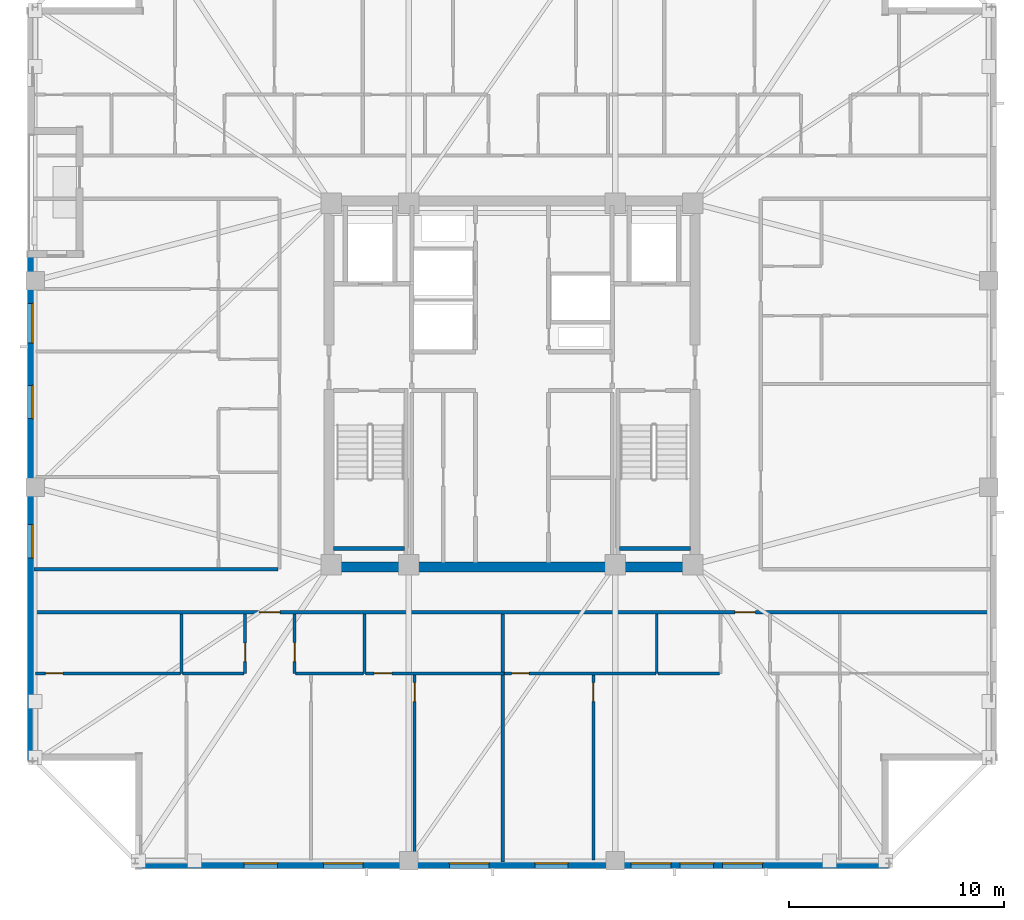
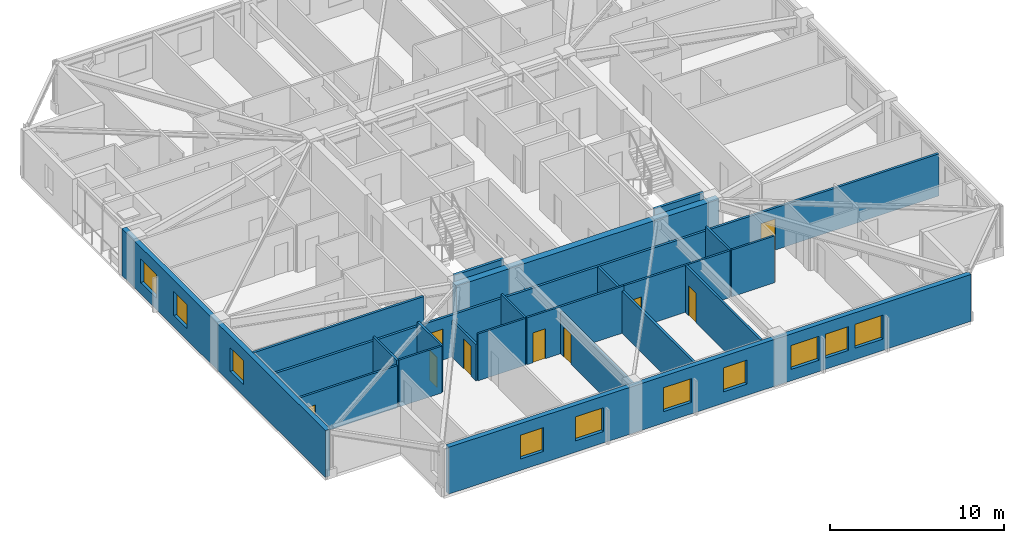
# One storey, part 7 of 17: 21 walls, 10 windows, 9 doors, 19 openings.
"""IFC4 building model written with IfcOpenShell, lengths in metres."""

from ifc_helpers import new_model, si_unit, direction, frame, frame_2d, origin, place, context, subcontext, project, spatial, rectangle, extrude, material, layer, layer_set, type_object, element, fill, save


model = new_model("IFC4")

# Units and contexts
model_context = context("Model", 3, precision=1e-05, world=origin(), true_north=direction((0.0, 1.0)))
body_context = subcontext(model_context, "Body", "Model", "MODEL_VIEW")
ifc_project = project(units=[si_unit("LENGTHUNIT", "METRE"), si_unit("AREAUNIT", "SQUARE_METRE"), si_unit("VOLUMEUNIT", "CUBIC_METRE"), si_unit("PLANEANGLEUNIT", "RADIAN"), si_unit("MASSUNIT", "GRAM", prefix="KILO")], contexts=[model_context])

# Site, building, storey
site_placement = place(None, origin())
site = spatial("IfcSite", under=ifc_project, at=site_placement, CompositionType="ELEMENT")
building_placement = place(site_placement, origin())
building = spatial("IfcBuilding", under=site, at=building_placement, Name="Cairnveth Concourse Tower", CompositionType="ELEMENT")
storey_placement = place(building_placement, frame((0.0, 0.0, 230.5)))
storey = spatial("IfcBuildingStorey", under=building, at=storey_placement, Name="L63", CompositionType="ELEMENT", Elevation=230.5)

# Wall, openings, doors
ifc_material_1 = material(Name="Gypsum Plasterboard Partition", Category="gypsum")
ifc_layer_1 = layer(ifc_material_1, 0.159912109375)
ifc_layer_set_1 = layer_set([ifc_layer_1], Name="Gypsum Plasterboard Partition")
wall_type_1 = type_object("IfcWallType", Name="ACOUSTIC PARTY WALL 180", PredefinedType="PARTITIONING", material=ifc_layer_set_1)
wall_1_placement = place(storey_placement, frame((29.804931640625, 28.387451171875, 0.0), z_axis=(0.0, 0.0, 1.0), x_axis=(1.0, 0.0, 0.0)))
wall_1 = element("IfcWall", 1, at=wall_1_placement, inside=storey, type_object=wall_type_1, Name="Interior Wall IW-L63-035", PredefinedType="PARTITIONING", context=body_context, shape_type="SweptSolid", body=[
    extrude(rectangle(XDim=44.39013671875, YDim=0.159912109375, at=frame_2d((22.195068359375, 0.0))), origin(), (0.0, 0.0, 1.0), 2.9580078125),
])
opening_1_placement = place(wall_1_placement, frame((10.463623046875, 0.0, 0.0)))
opening_1 = element("IfcOpeningElement", 2, at=opening_1_placement, cuts=wall_1, Name="Opening ID10", PredefinedType="OPENING", context=body_context, shape_type="SweptSolid", body=[
    extrude(rectangle(XDim=0.9599609375, YDim=2.179931640625, at=frame_2d((0.47998046875, 1.08984375))), frame((0.0, 0.08984375, 0.0), z_axis=(0.0, -1.0, 0.0), x_axis=(1.0, 0.0, 0.0)), (0.0, 0.0, 1.0), 0.179931640625),
])
opening_2_placement = place(wall_1_placement, frame((32.543701171875, 0.0, 0.0)))
opening_2 = element("IfcOpeningElement", 3, at=opening_2_placement, cuts=wall_1, Name="Opening ID10", PredefinedType="OPENING", context=body_context, shape_type="SweptSolid", body=[
    extrude(rectangle(XDim=0.9599609375, YDim=2.179931640625, at=frame_2d((0.47998046875, 1.08984375))), frame((0.0, 0.08984375, 0.0), z_axis=(0.0, -1.0, 0.0), x_axis=(1.0, 0.0, 0.0)), (0.0, 0.0, 1.0), 0.179931640625),
])
ifc_material_2 = material(Name="Solid Core Hardwood Timber Leaf", Category="wood")
door_type_1 = type_object("IfcDoorType", Name="FLAT ENTRANCE DOOR 960X2150", OperationType="NOTDEFINED", PredefinedType="DOOR", material=ifc_material_2)
door_1_placement = place(opening_1_placement, origin())
door_1 = element("IfcDoor", 4, at=door_1_placement, inside=storey, type_object=door_type_1, Name="Apartment L63S1 Entrance Door", OperationType="SINGLE_SWING_LEFT", OverallHeight=2.179931640625, OverallWidth=0.9599609375, PredefinedType="DOOR", context=body_context, shape_type="SweptSolid", body=[
    extrude(rectangle(XDim=0.9599609375, YDim=2.179931640625, at=frame_2d((0.47998046875, 1.08984375))), frame((0.0, 0.02490234375, 0.0), z_axis=(0.0, -1.0, 0.0), x_axis=(1.0, 0.0, 0.0)), (0.0, 0.0, 1.0), 0.050048828125),
])
fill(opening_1, door_1)
door_2_placement = place(opening_2_placement, origin())
door_2 = element("IfcDoor", 5, at=door_2_placement, inside=storey, type_object=door_type_1, Name="Apartment L63S2 Entrance Door", OperationType="SINGLE_SWING_LEFT", OverallHeight=2.179931640625, OverallWidth=0.9599609375, PredefinedType="DOOR", context=body_context, shape_type="SweptSolid", body=[
    extrude(rectangle(XDim=0.9599609375, YDim=2.179931640625, at=frame_2d((0.47998046875, 1.08984375))), frame((0.0, 0.02490234375, 0.0), z_axis=(0.0, -1.0, 0.0), x_axis=(1.0, 0.0, 0.0)), (0.0, 0.0, 1.0), 0.050048828125),
])
fill(opening_2, door_2)

# Walls
wall_2_placement = place(storey_placement, frame((29.804931640625, 30.39990234375, 0.0), z_axis=(0.0, 0.0, 1.0), x_axis=(1.0, 0.0, 0.0)))
element("IfcWall", 6, at=wall_2_placement, inside=storey, type_object=wall_type_1, Name="Interior Wall IW-L63-039", PredefinedType="PARTITIONING", context=body_context, shape_type="SweptSolid", body=[
    extrude(rectangle(XDim=11.330078125, YDim=0.159912109375, at=frame_2d((5.6650390625, 0.0))), origin(), (0.0, 0.0, 1.0), 3.2900390625),
])
wall_3_placement = place(storey_placement, frame((51.577392578125, 16.804931640625, 0.0), z_axis=(0.0, 0.0, 1.0), x_axis=(0.0, 1.0, 0.0)))
element("IfcWall", 7, at=wall_3_placement, inside=storey, type_object=wall_type_1, Name="Interior Wall IW-L63-054", PredefinedType="PARTITIONING", context=body_context, shape_type="SweptSolid", body=[
    extrude(rectangle(XDim=11.517578125, YDim=0.159912109375, at=frame_2d((5.7587890625, 0.0))), origin(), (0.0, 0.0, 1.0), 2.9580078125),
])
ifc_material_3 = material(Name="Concrete N65 (65 MPa)", Category="concrete")
ifc_layer_2 = layer(ifc_material_3, 0.449951171875)
ifc_layer_set_2 = layer_set([ifc_layer_2], Name="Concrete N65 (65 MPa)")
wall_type_2 = type_object("IfcWallType", Name="CORE SHEAR WALL 450", PredefinedType="SHEAR", material=ifc_layer_set_2)
wall_4_placement = place(storey_placement, frame((43.27490234375, 30.5, 0.0), z_axis=(0.0, 0.0, 1.0), x_axis=(1.0, 0.0, 0.0)))
element("IfcWall", 8, at=wall_4_placement, inside=storey, type_object=wall_type_2, Name="Core South Shear Wall L63", PredefinedType="SHEAR", context=body_context, shape_type="SweptSolid", body=[
    extrude(rectangle(XDim=17.4501953125, YDim=0.449951171875, at=frame_2d((8.72509765625, 0.0))), origin(), (0.0, 0.0, 1.0), 3.2900390625),
])
ifc_material_4 = material(Name="Concrete N50 (50 MPa)", Category="concrete")
ifc_layer_3 = layer(ifc_material_4, 0.179931640625)
ifc_layer_set_3 = layer_set([ifc_layer_3], Name="Concrete N50 (50 MPa)")
wall_type_3 = type_object("IfcWallType", Name="FIRE SHAFT WALL 180", PredefinedType="SOLIDWALL", material=ifc_layer_set_3)
for number, where, z_axis, x_axis, name in (
    (9, (43.715087890625, 31.360107421875, 0.0), (0.0, 0.0, 1.0), (1.0, 0.0, 0.0), "Stair ST-1 Shaft Wall FAR L63"),
    (10, (57.0048828125, 31.360107421875, 0.0), (0.0, 0.0, 1.0), (1.0, 0.0, 0.0), "Stair ST-2 Shaft Wall FAR L63"),
):
    element("IfcWall", number, at=place(storey_placement, frame(where, z_axis=z_axis, x_axis=x_axis)), inside=storey, type_object=wall_type_3, Name=name, PredefinedType="SOLIDWALL", context=body_context, shape_type="SweptSolid", body=[
        extrude(rectangle(XDim=3.280029296875, YDim=0.179931640625, at=frame_2d((1.64013671875, 0.0))), origin(), (0.0, 0.0, 1.0), 3.2900390625),
    ])

# Wall, opening, door
ifc_layer_4 = layer(ifc_material_1, 0.139892578125)
ifc_layer_set_4 = layer_set([ifc_layer_4], Name="Gypsum Plasterboard Partition")
wall_type_4 = type_object("IfcWallType", Name="GYPSUM STUD PARTITION 140", PredefinedType="PARTITIONING", material=ifc_layer_set_4)
wall_5_placement = place(storey_placement, frame((29.8701171875, 25.5576171875, 0.0), z_axis=(0.0, 0.0, 1.0), x_axis=(1.0, 0.0, 0.0)))
wall_5 = element("IfcWall", 11, at=wall_5_placement, inside=storey, type_object=wall_type_4, Name="Interior Wall IW-L63-050", PredefinedType="PARTITIONING", context=body_context, shape_type="SweptSolid", body=[
    extrude(rectangle(XDim=6.728759765625, YDim=0.139892578125, at=frame_2d((3.3642578125, 0.0))), origin(), (0.0, 0.0, 1.0), 2.9580078125),
])
opening_3_placement = place(wall_5_placement, frame((0.449951171875, 0.0, 0.0)))
opening_3 = element("IfcOpeningElement", 12, at=opening_3_placement, cuts=wall_5, Name="Opening ID22", PredefinedType="OPENING", context=body_context, shape_type="SweptSolid", body=[
    extrude(rectangle(XDim=0.820068359375, YDim=2.10009765625, at=frame_2d((0.41015625, 1.050048828125))), frame((0.0, 0.079833984375, 0.0), z_axis=(0.0, -1.0, 0.0), x_axis=(1.0, 0.0, 0.0)), (0.0, 0.0, 1.0), 0.159912109375),
])
door_type_2 = type_object("IfcDoorType", Name="INTERIOR WC DOOR 820X2100", OperationType="NOTDEFINED", PredefinedType="DOOR", material=ifc_material_2)
door_3_placement = place(opening_3_placement, origin())
door_3 = element("IfcDoor", 13, at=door_3_placement, inside=storey, type_object=door_type_2, Name="L63S1 Dressing Door", OperationType="SINGLE_SWING_RIGHT", OverallHeight=2.10009765625, OverallWidth=0.820068359375, PredefinedType="DOOR", context=body_context, shape_type="SweptSolid", body=[
    extrude(rectangle(XDim=0.820068359375, YDim=2.10009765625, at=frame_2d((0.41015625, 1.050048828125))), frame((0.0, 0.02490234375, 0.0), z_axis=(0.0, -1.0, 0.0), x_axis=(1.0, 0.0, 0.0)), (0.0, 0.0, 1.0), 0.050048828125),
])
fill(opening_3, door_3)

wall_6_placement = place(storey_placement, frame((47.4775390625, 16.8798828125, 0.0), z_axis=(0.0, 0.0, 1.0), x_axis=(0.0, 1.0, 0.0)))
wall_6 = element("IfcWall", 14, at=wall_6_placement, inside=storey, type_object=wall_type_4, Name="Interior Wall IW-L63-051", PredefinedType="PARTITIONING", context=body_context, shape_type="SweptSolid", body=[
    extrude(rectangle(XDim=8.717529296875, YDim=0.139892578125, at=frame_2d((4.35888671875, 0.0))), origin(), (0.0, 0.0, 1.0), 2.9580078125),
])
opening_4_placement = place(wall_6_placement, frame((7.367431640625, 0.0, 0.0)))
opening_4 = element("IfcOpeningElement", 15, at=opening_4_placement, cuts=wall_6, Name="Opening ID18", PredefinedType="OPENING", context=body_context, shape_type="SweptSolid", body=[
    extrude(rectangle(XDim=0.8798828125, YDim=2.10009765625, at=frame_2d((0.43994140625, 1.050048828125))), frame((0.0, 0.079833984375, 0.0), z_axis=(0.0, -1.0, 0.0), x_axis=(1.0, 0.0, 0.0)), (0.0, 0.0, 1.0), 0.159912109375),
])
door_type_3 = type_object("IfcDoorType", Name="INTERIOR SINGLE DOOR 880X2100", OperationType="NOTDEFINED", PredefinedType="DOOR", material=ifc_material_2)
door_4_placement = place(opening_4_placement, origin())
door_4 = element("IfcDoor", 16, at=door_4_placement, inside=storey, type_object=door_type_3, Name="L63S1 Bedroom 2 Door", OperationType="SINGLE_SWING_LEFT", OverallHeight=2.10009765625, OverallWidth=0.8798828125, PredefinedType="DOOR", context=body_context, shape_type="SweptSolid", body=[
    extrude(rectangle(XDim=0.8798828125, YDim=2.10009765625, at=frame_2d((0.43994140625, 1.050048828125))), frame((0.0, 0.02490234375, 0.0), z_axis=(0.0, -1.0, 0.0), x_axis=(1.0, 0.0, 0.0)), (0.0, 0.0, 1.0), 0.050048828125),
])
fill(opening_4, door_4)

wall_7_placement = place(storey_placement, frame((45.19873046875, 25.5576171875, 0.0), z_axis=(0.0, 0.0, 1.0), x_axis=(1.0, 0.0, 0.0)))
wall_7 = element("IfcWall", 17, at=wall_7_placement, inside=storey, type_object=wall_type_4, Name="Interior Wall IW-L63-052", PredefinedType="PARTITIONING", context=body_context, shape_type="SweptSolid", body=[
    extrude(rectangle(XDim=6.4287109375, YDim=0.139892578125, at=frame_2d((3.21435546875, 0.0))), origin(), (0.0, 0.0, 1.0), 3.2900390625),
])
opening_5_placement = place(wall_7_placement, frame((0.39990234375, 0.0, 0.0)))
opening_5 = element("IfcOpeningElement", 18, at=opening_5_placement, cuts=wall_7, Name="Opening ID22", PredefinedType="OPENING", context=body_context, shape_type="SweptSolid", body=[
    extrude(rectangle(XDim=0.820068359375, YDim=2.10009765625, at=frame_2d((0.41015625, 1.050048828125))), frame((0.0, 0.079833984375, 0.0), z_axis=(0.0, -1.0, 0.0), x_axis=(1.0, 0.0, 0.0)), (0.0, 0.0, 1.0), 0.159912109375),
])
door_5_placement = place(opening_5_placement, origin())
door_5 = element("IfcDoor", 19, at=door_5_placement, inside=storey, type_object=door_type_2, Name="L63S1 Utility Door", OperationType="SINGLE_SWING_RIGHT", OverallHeight=2.10009765625, OverallWidth=0.820068359375, PredefinedType="DOOR", context=body_context, shape_type="SweptSolid", body=[
    extrude(rectangle(XDim=0.820068359375, YDim=2.10009765625, at=frame_2d((0.41015625, 1.050048828125))), frame((0.0, 0.02490234375, 0.0), z_axis=(0.0, -1.0, 0.0), x_axis=(1.0, 0.0, 0.0)), (0.0, 0.0, 1.0), 0.050048828125),
])
fill(opening_5, door_5)

wall_8_placement = place(storey_placement, frame((55.777587890625, 16.8798828125, 0.0), z_axis=(0.0, 0.0, 1.0), x_axis=(0.0, 1.0, 0.0)))
wall_8 = element("IfcWall", 20, at=wall_8_placement, inside=storey, type_object=wall_type_4, Name="Interior Wall IW-L63-061", PredefinedType="PARTITIONING", context=body_context, shape_type="SweptSolid", body=[
    extrude(rectangle(XDim=8.717529296875, YDim=0.139892578125, at=frame_2d((4.35888671875, 0.0))), origin(), (0.0, 0.0, 1.0), 3.2900390625),
])
opening_6_placement = place(wall_8_placement, frame((7.367431640625, 0.0, 0.0)))
opening_6 = element("IfcOpeningElement", 21, at=opening_6_placement, cuts=wall_8, Name="Opening ID18", PredefinedType="OPENING", context=body_context, shape_type="SweptSolid", body=[
    extrude(rectangle(XDim=0.8798828125, YDim=2.10009765625, at=frame_2d((0.43994140625, 1.050048828125))), frame((0.0, 0.079833984375, 0.0), z_axis=(0.0, -1.0, 0.0), x_axis=(1.0, 0.0, 0.0)), (0.0, 0.0, 1.0), 0.159912109375),
])
door_6_placement = place(opening_6_placement, origin())
door_6 = element("IfcDoor", 22, at=door_6_placement, inside=storey, type_object=door_type_3, Name="L63S2 Master Bedroom Door", OperationType="SINGLE_SWING_LEFT", OverallHeight=2.10009765625, OverallWidth=0.8798828125, PredefinedType="DOOR", context=body_context, shape_type="SweptSolid", body=[
    extrude(rectangle(XDim=0.8798828125, YDim=2.10009765625, at=frame_2d((0.43994140625, 1.050048828125))), frame((0.0, 0.02490234375, 0.0), z_axis=(0.0, -1.0, 0.0), x_axis=(1.0, 0.0, 0.0)), (0.0, 0.0, 1.0), 0.050048828125),
])
fill(opening_6, door_6)

wall_9_placement = place(storey_placement, frame((51.642578125, 25.5576171875, 0.0), z_axis=(0.0, 0.0, 1.0), x_axis=(1.0, 0.0, 0.0)))
wall_9 = element("IfcWall", 23, at=wall_9_placement, inside=storey, type_object=wall_type_4, Name="Interior Wall IW-L63-062", PredefinedType="PARTITIONING", context=body_context, shape_type="SweptSolid", body=[
    extrude(rectangle(XDim=7.0361328125, YDim=0.139892578125, at=frame_2d((3.51806640625, 0.0))), origin(), (0.0, 0.0, 1.0), 3.2900390625),
])
opening_7_placement = place(wall_9_placement, frame((0.3349609375, 0.0, 0.0)))
opening_7 = element("IfcOpeningElement", 24, at=opening_7_placement, cuts=wall_9, Name="Opening ID22", PredefinedType="OPENING", context=body_context, shape_type="SweptSolid", body=[
    extrude(rectangle(XDim=0.820068359375, YDim=2.10009765625, at=frame_2d((0.41015625, 1.050048828125))), frame((0.0, 0.079833984375, 0.0), z_axis=(0.0, -1.0, 0.0), x_axis=(1.0, 0.0, 0.0)), (0.0, 0.0, 1.0), 0.159912109375),
])
door_7_placement = place(opening_7_placement, origin())
door_7 = element("IfcDoor", 25, at=door_7_placement, inside=storey, type_object=door_type_2, Name="L63S2 Dressing Door", OperationType="SINGLE_SWING_RIGHT", OverallHeight=2.10009765625, OverallWidth=0.820068359375, PredefinedType="DOOR", context=body_context, shape_type="SweptSolid", body=[
    extrude(rectangle(XDim=0.820068359375, YDim=2.10009765625, at=frame_2d((0.41015625, 1.050048828125))), frame((0.0, 0.02490234375, 0.0), z_axis=(0.0, -1.0, 0.0), x_axis=(1.0, 0.0, 0.0)), (0.0, 0.0, 1.0), 0.050048828125),
])
fill(opening_7, door_7)

# Wall
ifc_layer_5 = layer(ifc_material_1, 0.1298828125)
ifc_layer_set_5 = layer_set([ifc_layer_5], Name="Gypsum Plasterboard Partition")
wall_type_5 = type_object("IfcWallType", Name="WET AREA PARTITION 140", PredefinedType="PLUMBINGWALL", material=ifc_layer_set_5)
wall_10_placement = place(storey_placement, frame((36.648681640625, 25.5576171875, 0.0), z_axis=(0.0, 0.0, 1.0), x_axis=(0.0, 1.0, 0.0)))
element("IfcWall", 26, at=wall_10_placement, inside=storey, type_object=wall_type_5, Name="Interior Wall IW-L63-043", PredefinedType="PLUMBINGWALL", context=body_context, shape_type="SweptSolid", body=[
    extrude(rectangle(XDim=2.75, YDim=0.1298828125, at=frame_2d((1.375, 0.0))), origin(), (0.0, 0.0, 1.0), 3.2900390625),
])

# Wall, opening, door
wall_11_placement = place(storey_placement, frame((39.598876953125, 25.5576171875, 0.0), z_axis=(0.0, 0.0, 1.0), x_axis=(0.0, 1.0, 0.0)))
wall_11 = element("IfcWall", 27, at=wall_11_placement, inside=storey, type_object=wall_type_5, Name="Interior Wall IW-L63-044", PredefinedType="PLUMBINGWALL", context=body_context, shape_type="SweptSolid", body=[
    extrude(rectangle(XDim=2.75, YDim=0.1298828125, at=frame_2d((1.375, 0.0))), origin(), (0.0, 0.0, 1.0), 3.2900390625),
])
opening_8_placement = place(wall_11_placement, frame((0.550048828125, 0.0, 0.0)))
opening_8 = element("IfcOpeningElement", 28, at=opening_8_placement, cuts=wall_11, Name="Opening ID21", PredefinedType="OPENING", context=body_context, shape_type="SweptSolid", body=[
    extrude(rectangle(XDim=0.85009765625, YDim=2.080078125, at=frame_2d((0.425048828125, 1.0400390625))), frame((0.0, 0.074951171875, 0.0), z_axis=(0.0, -1.0, 0.0), x_axis=(1.0, 0.0, 0.0)), (0.0, 0.0, 1.0), 0.14990234375),
])
door_type_4 = type_object("IfcDoorType", Name="INTERIOR WC DOOR 850X2100", OperationType="NOTDEFINED", PredefinedType="DOOR", material=ifc_material_2)
door_8_placement = place(opening_8_placement, origin())
door_8 = element("IfcDoor", 29, at=door_8_placement, inside=storey, type_object=door_type_4, Name="L63S1 Bathroom Door", OperationType="SINGLE_SWING_RIGHT", OverallHeight=2.080078125, OverallWidth=0.85009765625, PredefinedType="DOOR", context=body_context, shape_type="SweptSolid", body=[
    extrude(rectangle(XDim=0.85009765625, YDim=2.080078125, at=frame_2d((0.425048828125, 1.0400390625))), frame((0.0, 0.02490234375, 0.0), z_axis=(0.0, -1.0, 0.0), x_axis=(1.0, 0.0, 0.0)), (0.0, 0.0, 1.0), 0.050048828125),
])
fill(opening_8, door_8)

# Walls
wall_12_placement = place(storey_placement, frame((36.69873046875, 25.5576171875, 0.0), z_axis=(0.0, 0.0, 1.0), x_axis=(1.0, 0.0, 0.0)))
element("IfcWall", 30, at=wall_12_placement, inside=storey, type_object=wall_type_5, Name="Interior Wall IW-L63-045", PredefinedType="PLUMBINGWALL", context=body_context, shape_type="SweptSolid", body=[
    extrude(rectangle(XDim=2.85009765625, YDim=0.1298828125, at=frame_2d((1.425048828125, 0.0))), origin(), (0.0, 0.0, 1.0), 3.2900390625),
])
wall_13_placement = place(storey_placement, frame((45.148681640625, 25.5576171875, 0.0), z_axis=(0.0, 0.0, 1.0), x_axis=(0.0, 1.0, 0.0)))
element("IfcWall", 31, at=wall_13_placement, inside=storey, type_object=wall_type_5, Name="Interior Wall IW-L63-046", PredefinedType="PLUMBINGWALL", context=body_context, shape_type="SweptSolid", body=[
    extrude(rectangle(XDim=2.75, YDim=0.1298828125, at=frame_2d((1.375, 0.0))), origin(), (0.0, 0.0, 1.0), 3.2900390625),
])

# Wall, opening, door
wall_14_placement = place(storey_placement, frame((41.898681640625, 25.5576171875, 0.0), z_axis=(0.0, 0.0, 1.0), x_axis=(0.0, 1.0, 0.0)))
wall_14 = element("IfcWall", 32, at=wall_14_placement, inside=storey, type_object=wall_type_5, Name="Interior Wall IW-L63-047", PredefinedType="PLUMBINGWALL", context=body_context, shape_type="SweptSolid", body=[
    extrude(rectangle(XDim=2.75, YDim=0.1298828125, at=frame_2d((1.375, 0.0))), origin(), (0.0, 0.0, 1.0), 2.572998046875),
])
opening_9_placement = place(wall_14_placement, frame((0.550048828125, 0.0, 0.0)))
opening_9 = element("IfcOpeningElement", 33, at=opening_9_placement, cuts=wall_14, Name="Opening ID18", PredefinedType="OPENING", context=body_context, shape_type="SweptSolid", body=[
    extrude(rectangle(XDim=0.8798828125, YDim=2.10009765625, at=frame_2d((0.43994140625, 1.050048828125))), frame((0.0, 0.074951171875, 0.0), z_axis=(0.0, -1.0, 0.0), x_axis=(1.0, 0.0, 0.0)), (0.0, 0.0, 1.0), 0.14990234375),
])
door_9_placement = place(opening_9_placement, origin())
door_9 = element("IfcDoor", 34, at=door_9_placement, inside=storey, type_object=door_type_3, Name="L63S1 Kitchen Door", OperationType="SINGLE_SWING_LEFT", OverallHeight=2.10009765625, OverallWidth=0.8798828125, PredefinedType="DOOR", context=body_context, shape_type="SweptSolid", body=[
    extrude(rectangle(XDim=0.8798828125, YDim=2.10009765625, at=frame_2d((0.43994140625, 1.050048828125))), frame((0.0, 0.02490234375, 0.0), z_axis=(0.0, -1.0, 0.0), x_axis=(1.0, 0.0, 0.0)), (0.0, 0.0, 1.0), 0.050048828125),
])
fill(opening_9, door_9)

# Walls
wall_15_placement = place(storey_placement, frame((41.94873046875, 25.5576171875, 0.0), z_axis=(0.0, 0.0, 1.0), x_axis=(1.0, 0.0, 0.0)))
element("IfcWall", 35, at=wall_15_placement, inside=storey, type_object=wall_type_5, Name="Interior Wall IW-L63-048", PredefinedType="PLUMBINGWALL", context=body_context, shape_type="SweptSolid", body=[
    extrude(rectangle(XDim=3.14990234375, YDim=0.1298828125, at=frame_2d((1.574951171875, 0.0))), origin(), (0.0, 0.0, 1.0), 3.2900390625),
])
wall_16_placement = place(storey_placement, frame((58.728759765625, 25.5576171875, 0.0), z_axis=(0.0, 0.0, 1.0), x_axis=(0.0, 1.0, 0.0)))
element("IfcWall", 36, at=wall_16_placement, inside=storey, type_object=wall_type_5, Name="Interior Wall IW-L63-055", PredefinedType="PLUMBINGWALL", context=body_context, shape_type="SweptSolid", body=[
    extrude(rectangle(XDim=2.75, YDim=0.1298828125, at=frame_2d((1.375, 0.0))), origin(), (0.0, 0.0, 1.0), 3.2900390625),
])
wall_17_placement = place(storey_placement, frame((58.77880859375, 25.5576171875, 0.0), z_axis=(0.0, 0.0, 1.0), x_axis=(1.0, 0.0, 0.0)))
element("IfcWall", 37, at=wall_17_placement, inside=storey, type_object=wall_type_5, Name="Interior Wall IW-L63-057", PredefinedType="PLUMBINGWALL", context=body_context, shape_type="SweptSolid", body=[
    extrude(rectangle(XDim=2.85009765625, YDim=0.1298828125, at=frame_2d((1.425048828125, 0.0))), origin(), (0.0, 0.0, 1.0), 3.2900390625),
])

# Wall, openings, windows
ifc_material_5 = material(Name="Melbourne Buff Fired Clay Brick Masonry", Category="masonry")
ifc_layer_6 = layer(ifc_material_5, 0.320068359375)
ifc_layer_set_6 = layer_set([ifc_layer_6], Name="Melbourne Buff Fired Clay Brick Masonry")
wall_type_6 = type_object("IfcWallType", Name="ZONE 3 BRICK PIER SPANDREL WALL 320", PredefinedType="SOLIDWALL", material=ifc_layer_set_6)
wall_18_placement = place(storey_placement, frame((69.5, 16.659912109375, 0.0), z_axis=(0.0, 0.0, 1.0), x_axis=(-1.0, 0.0, 0.0)))
wall_18 = element("IfcWall", 38, at=wall_18_placement, inside=storey, type_object=wall_type_6, Name="Exterior Wall EW-L63-S09", PredefinedType="SOLIDWALL", context=body_context, shape_type="SweptSolid", body=[
    extrude(rectangle(XDim=34.701904296875, YDim=0.320068359375, at=frame_2d((17.35107421875, 0.0))), origin(), (0.0, 0.0, 1.0), 3.2900390625),
])
opening_10_placement = place(wall_18_placement, frame((5.862548828125, 0.0, 0.800048828125)))
opening_10 = element("IfcOpeningElement", 39, at=opening_10_placement, cuts=wall_18, Name="Opening W08", PredefinedType="OPENING", context=body_context, shape_type="SweptSolid", body=[
    extrude(rectangle(XDim=1.85009765625, YDim=1.677978515625, at=frame_2d((0.925048828125, 0.8388671875))), frame((0.0, 0.169921875, 0.0), z_axis=(0.0, -1.0, 0.0), x_axis=(1.0, 0.0, 0.0)), (0.0, 0.0, 1.0), 0.340087890625),
])
opening_11_placement = place(wall_18_placement, frame((8.137939453125, 0.0, 0.800048828125)))
opening_11 = element("IfcOpeningElement", 40, at=opening_11_placement, cuts=wall_18, Name="Opening W07", PredefinedType="OPENING", context=body_context, shape_type="SweptSolid", body=[
    extrude(rectangle(XDim=1.550048828125, YDim=1.677978515625, at=frame_2d((0.77490234375, 0.8388671875))), frame((0.0, 0.169921875, 0.0), z_axis=(0.0, -1.0, 0.0), x_axis=(1.0, 0.0, 0.0)), (0.0, 0.0, 1.0), 0.340087890625),
])
opening_12_placement = place(wall_18_placement, frame((10.113037109375, 0.0, 0.800048828125)))
opening_12 = element("IfcOpeningElement", 41, at=opening_12_placement, cuts=wall_18, Name="Opening W08", PredefinedType="OPENING", context=body_context, shape_type="SweptSolid", body=[
    extrude(rectangle(XDim=1.85009765625, YDim=1.677978515625, at=frame_2d((0.925048828125, 0.8388671875))), frame((0.0, 0.169921875, 0.0), z_axis=(0.0, -1.0, 0.0), x_axis=(1.0, 0.0, 0.0)), (0.0, 0.0, 1.0), 0.340087890625),
])
opening_13_placement = place(wall_18_placement, frame((14.888427734375, 0.0, 0.800048828125)))
opening_13 = element("IfcOpeningElement", 42, at=opening_13_placement, cuts=wall_18, Name="Opening W07", PredefinedType="OPENING", context=body_context, shape_type="SweptSolid", body=[
    extrude(rectangle(XDim=1.550048828125, YDim=1.677978515625, at=frame_2d((0.77490234375, 0.8388671875))), frame((0.0, 0.169921875, 0.0), z_axis=(0.0, -1.0, 0.0), x_axis=(1.0, 0.0, 0.0)), (0.0, 0.0, 1.0), 0.340087890625),
])
opening_14_placement = place(wall_18_placement, frame((18.563720703125, 0.0, 0.800048828125)))
opening_14 = element("IfcOpeningElement", 43, at=opening_14_placement, cuts=wall_18, Name="Opening W08", PredefinedType="OPENING", context=body_context, shape_type="SweptSolid", body=[
    extrude(rectangle(XDim=1.85009765625, YDim=1.677978515625, at=frame_2d((0.925048828125, 0.8388671875))), frame((0.0, 0.169921875, 0.0), z_axis=(0.0, -1.0, 0.0), x_axis=(1.0, 0.0, 0.0)), (0.0, 0.0, 1.0), 0.340087890625),
])
opening_15_placement = place(wall_18_placement, frame((24.4140625, 0.0, 0.800048828125)))
opening_15 = element("IfcOpeningElement", 44, at=opening_15_placement, cuts=wall_18, Name="Opening W08", PredefinedType="OPENING", context=body_context, shape_type="SweptSolid", body=[
    extrude(rectangle(XDim=1.85009765625, YDim=1.677978515625, at=frame_2d((0.925048828125, 0.8388671875))), frame((0.0, 0.169921875, 0.0), z_axis=(0.0, -1.0, 0.0), x_axis=(1.0, 0.0, 0.0)), (0.0, 0.0, 1.0), 0.340087890625),
])
opening_16_placement = place(wall_18_placement, frame((28.389404296875, 0.0, 0.800048828125)))
opening_16 = element("IfcOpeningElement", 45, at=opening_16_placement, cuts=wall_18, Name="Opening W07", PredefinedType="OPENING", context=body_context, shape_type="SweptSolid", body=[
    extrude(rectangle(XDim=1.550048828125, YDim=1.677978515625, at=frame_2d((0.77490234375, 0.8388671875))), frame((0.0, 0.169921875, 0.0), z_axis=(0.0, -1.0, 0.0), x_axis=(1.0, 0.0, 0.0)), (0.0, 0.0, 1.0), 0.340087890625),
])
ifc_material_6 = material(Name="Double Glazed Low-E Clear Glass", Category="glass")
window_type_1 = type_object("IfcWindowType", Name="DEEP-SET APARTMENT LIVING WINDOW 1850X1850", PartitioningType="DOUBLE_PANEL_VERTICAL", PredefinedType="WINDOW", material=ifc_material_6)
window_1_placement = place(opening_10_placement, origin())
window_1 = element("IfcWindow", 46, at=window_1_placement, inside=storey, type_object=window_type_1, Name="Gothic Lancet Window L63-9-1", OverallHeight=1.677978515625, OverallWidth=1.85009765625, PartitioningType="SINGLE_PANEL", PredefinedType="WINDOW", context=body_context, shape_type="SweptSolid", body=[
    extrude(rectangle(XDim=1.85009765625, YDim=1.677978515625, at=frame_2d((0.925048828125, 0.8388671875))), frame((0.0, -0.050048828125, 0.0), z_axis=(0.0, -1.0, 0.0), x_axis=(1.0, 0.0, 0.0)), (0.0, 0.0, 1.0), 0.06005859375),
])
fill(opening_10, window_1)
window_2_placement = place(opening_12_placement, origin())
window_2 = element("IfcWindow", 47, at=window_2_placement, inside=storey, type_object=window_type_1, Name="Gothic Lancet Window L63-9-3", OverallHeight=1.677978515625, OverallWidth=1.85009765625, PartitioningType="SINGLE_PANEL", PredefinedType="WINDOW", context=body_context, shape_type="SweptSolid", body=[
    extrude(rectangle(XDim=1.85009765625, YDim=1.677978515625, at=frame_2d((0.925048828125, 0.8388671875))), frame((0.0, -0.050048828125, 0.0), z_axis=(0.0, -1.0, 0.0), x_axis=(1.0, 0.0, 0.0)), (0.0, 0.0, 1.0), 0.06005859375),
])
fill(opening_12, window_2)
window_3_placement = place(opening_14_placement, origin())
window_3 = element("IfcWindow", 48, at=window_3_placement, inside=storey, type_object=window_type_1, Name="Gothic Lancet Window L63-9-5", OverallHeight=1.677978515625, OverallWidth=1.85009765625, PartitioningType="SINGLE_PANEL", PredefinedType="WINDOW", context=body_context, shape_type="SweptSolid", body=[
    extrude(rectangle(XDim=1.85009765625, YDim=1.677978515625, at=frame_2d((0.925048828125, 0.8388671875))), frame((0.0, -0.050048828125, 0.0), z_axis=(0.0, -1.0, 0.0), x_axis=(1.0, 0.0, 0.0)), (0.0, 0.0, 1.0), 0.06005859375),
])
fill(opening_14, window_3)
window_4_placement = place(opening_15_placement, origin())
window_4 = element("IfcWindow", 49, at=window_4_placement, inside=storey, type_object=window_type_1, Name="Gothic Lancet Window L63-9-7", OverallHeight=1.677978515625, OverallWidth=1.85009765625, PartitioningType="SINGLE_PANEL", PredefinedType="WINDOW", context=body_context, shape_type="SweptSolid", body=[
    extrude(rectangle(XDim=1.85009765625, YDim=1.677978515625, at=frame_2d((0.925048828125, 0.8388671875))), frame((0.0, -0.050048828125, 0.0), z_axis=(0.0, -1.0, 0.0), x_axis=(1.0, 0.0, 0.0)), (0.0, 0.0, 1.0), 0.06005859375),
])
fill(opening_15, window_4)
window_type_2 = type_object("IfcWindowType", Name="DEEP-SET APARTMENT WINDOW 1550X1800", PartitioningType="DOUBLE_PANEL_VERTICAL", PredefinedType="WINDOW", material=ifc_material_6)
window_5_placement = place(opening_11_placement, origin())
window_5 = element("IfcWindow", 50, at=window_5_placement, inside=storey, type_object=window_type_2, Name="Gothic Lancet Window L63-9-2", OverallHeight=1.677978515625, OverallWidth=1.550048828125, PartitioningType="SINGLE_PANEL", PredefinedType="WINDOW", context=body_context, shape_type="SweptSolid", body=[
    extrude(rectangle(XDim=1.550048828125, YDim=1.677978515625, at=frame_2d((0.77490234375, 0.8388671875))), frame((0.0, -0.050048828125, 0.0), z_axis=(0.0, -1.0, 0.0), x_axis=(1.0, 0.0, 0.0)), (0.0, 0.0, 1.0), 0.06005859375),
])
fill(opening_11, window_5)
window_6_placement = place(opening_13_placement, origin())
window_6 = element("IfcWindow", 51, at=window_6_placement, inside=storey, type_object=window_type_2, Name="Gothic Lancet Window L63-9-4", OverallHeight=1.677978515625, OverallWidth=1.550048828125, PartitioningType="SINGLE_PANEL", PredefinedType="WINDOW", context=body_context, shape_type="SweptSolid", body=[
    extrude(rectangle(XDim=1.550048828125, YDim=1.677978515625, at=frame_2d((0.77490234375, 0.8388671875))), frame((0.0, -0.050048828125, 0.0), z_axis=(0.0, -1.0, 0.0), x_axis=(1.0, 0.0, 0.0)), (0.0, 0.0, 1.0), 0.06005859375),
])
fill(opening_13, window_6)
window_7_placement = place(opening_16_placement, origin())
window_7 = element("IfcWindow", 52, at=window_7_placement, inside=storey, type_object=window_type_2, Name="Gothic Lancet Window L63-9-8", OverallHeight=1.677978515625, OverallWidth=1.550048828125, PartitioningType="SINGLE_PANEL", PredefinedType="WINDOW", context=body_context, shape_type="SweptSolid", body=[
    extrude(rectangle(XDim=1.550048828125, YDim=1.677978515625, at=frame_2d((0.77490234375, 0.8388671875))), frame((0.0, -0.050048828125, 0.0), z_axis=(0.0, -1.0, 0.0), x_axis=(1.0, 0.0, 0.0)), (0.0, 0.0, 1.0), 0.06005859375),
])
fill(opening_16, window_7)

wall_19_placement = place(storey_placement, frame((29.659912109375, 21.5, 0.0), z_axis=(0.0, 0.0, 1.0), x_axis=(0.0, 1.0, 0.0)))
wall_19 = element("IfcWall", 53, at=wall_19_placement, inside=storey, type_object=wall_type_6, Name="Exterior Wall EW-L63-S12", PredefinedType="SOLIDWALL", context=body_context, shape_type="SweptSolid", body=[
    extrude(rectangle(XDim=23.402099609375, YDim=0.320068359375, at=frame_2d((11.701171875, 0.0))), origin(), (0.0, 0.0, 1.0), 3.2900390625),
])
opening_17_placement = place(wall_19_placement, frame((9.41552734375, 0.0, 0.800048828125)))
opening_17 = element("IfcOpeningElement", 54, at=opening_17_placement, cuts=wall_19, Name="Opening W07", PredefinedType="OPENING", context=body_context, shape_type="SweptSolid", body=[
    extrude(rectangle(XDim=1.550048828125, YDim=1.677978515625, at=frame_2d((0.77490234375, 0.8388671875))), frame((0.0, 0.169921875, 0.0), z_axis=(0.0, -1.0, 0.0), x_axis=(1.0, 0.0, 0.0)), (0.0, 0.0, 1.0), 0.340087890625),
])
opening_18_placement = place(wall_19_placement, frame((15.886474609375, 0.0, 0.800048828125)))
opening_18 = element("IfcOpeningElement", 55, at=opening_18_placement, cuts=wall_19, Name="Opening W07", PredefinedType="OPENING", context=body_context, shape_type="SweptSolid", body=[
    extrude(rectangle(XDim=1.550048828125, YDim=1.677978515625, at=frame_2d((0.77490234375, 0.8388671875))), frame((0.0, 0.169921875, 0.0), z_axis=(0.0, -1.0, 0.0), x_axis=(1.0, 0.0, 0.0)), (0.0, 0.0, 1.0), 0.340087890625),
])
opening_19_placement = place(wall_19_placement, frame((19.396728515625, 0.0, 0.800048828125)))
opening_19 = element("IfcOpeningElement", 56, at=opening_19_placement, cuts=wall_19, Name="Opening W08", PredefinedType="OPENING", context=body_context, shape_type="SweptSolid", body=[
    extrude(rectangle(XDim=1.85009765625, YDim=1.677978515625, at=frame_2d((0.925048828125, 0.8388671875))), frame((0.0, 0.169921875, 0.0), z_axis=(0.0, -1.0, 0.0), x_axis=(1.0, 0.0, 0.0)), (0.0, 0.0, 1.0), 0.340087890625),
])
window_8_placement = place(opening_19_placement, origin())
window_8 = element("IfcWindow", 57, at=window_8_placement, inside=storey, type_object=window_type_1, Name="Gothic Lancet Window L63-12-5", OverallHeight=1.677978515625, OverallWidth=1.85009765625, PartitioningType="SINGLE_PANEL", PredefinedType="WINDOW", context=body_context, shape_type="SweptSolid", body=[
    extrude(rectangle(XDim=1.85009765625, YDim=1.677978515625, at=frame_2d((0.925048828125, 0.8388671875))), frame((0.0, -0.050048828125, 0.0), z_axis=(0.0, -1.0, 0.0), x_axis=(1.0, 0.0, 0.0)), (0.0, 0.0, 1.0), 0.06005859375),
])
fill(opening_19, window_8)
window_9_placement = place(opening_17_placement, origin())
window_9 = element("IfcWindow", 58, at=window_9_placement, inside=storey, type_object=window_type_2, Name="Gothic Lancet Window L63-12-2", OverallHeight=1.677978515625, OverallWidth=1.550048828125, PartitioningType="SINGLE_PANEL", PredefinedType="WINDOW", context=body_context, shape_type="SweptSolid", body=[
    extrude(rectangle(XDim=1.550048828125, YDim=1.677978515625, at=frame_2d((0.77490234375, 0.8388671875))), frame((0.0, -0.050048828125, 0.0), z_axis=(0.0, -1.0, 0.0), x_axis=(1.0, 0.0, 0.0)), (0.0, 0.0, 1.0), 0.06005859375),
])
fill(opening_17, window_9)
window_10_placement = place(opening_18_placement, origin())
window_10 = element("IfcWindow", 59, at=window_10_placement, inside=storey, type_object=window_type_2, Name="Gothic Lancet Window L63-12-4", OverallHeight=1.677978515625, OverallWidth=1.550048828125, PartitioningType="SINGLE_PANEL", PredefinedType="WINDOW", context=body_context, shape_type="SweptSolid", body=[
    extrude(rectangle(XDim=1.550048828125, YDim=1.677978515625, at=frame_2d((0.77490234375, 0.8388671875))), frame((0.0, -0.050048828125, 0.0), z_axis=(0.0, -1.0, 0.0), x_axis=(1.0, 0.0, 0.0)), (0.0, 0.0, 1.0), 0.06005859375),
])
fill(opening_18, window_10)

save(model, "model.ifc")
